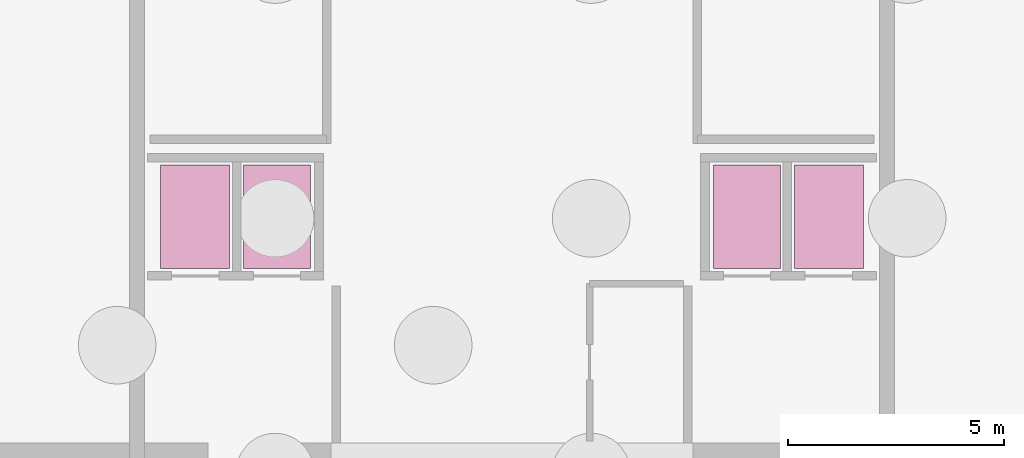
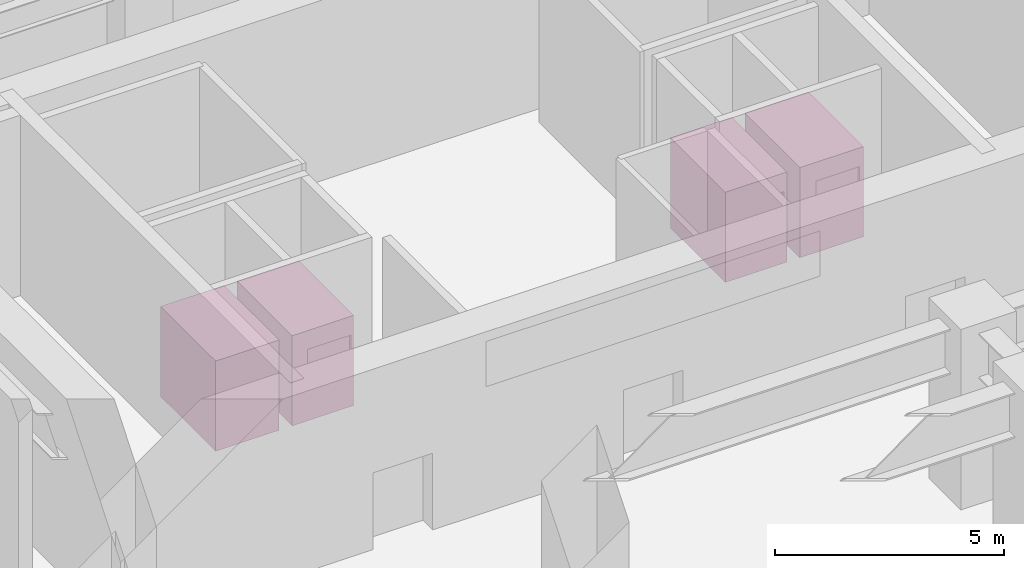
# One storey, part 9 of 9: 4 transport elements.
"""IFC4 building model written with IfcOpenShell, lengths in metres."""

from ifc_helpers import new_model, si_unit, direction, frame, origin, origin_2d, place, context, subcontext, project, spatial, rectangle, extrude, source, transform, mapped, material, type_object, type_shapes, element, save


model = new_model("IFC4")

# Units and contexts
model_context = context("Model", 3, precision=1e-05, world=origin(), true_north=direction((0.0, 1.0)))
body_context = subcontext(model_context, "Body", "Model", "MODEL_VIEW")
ifc_project = project(units=[si_unit("LENGTHUNIT", "METRE"), si_unit("AREAUNIT", "SQUARE_METRE"), si_unit("VOLUMEUNIT", "CUBIC_METRE"), si_unit("PLANEANGLEUNIT", "RADIAN"), si_unit("MASSUNIT", "GRAM", prefix="KILO")], contexts=[model_context])

# Site, building, storey
site_placement = place(None, origin())
site = spatial("IfcSite", under=ifc_project, at=site_placement, CompositionType="ELEMENT")
building_placement = place(site_placement, origin())
building = spatial("IfcBuilding", under=site, at=building_placement, Name="Tolvann Quenvar Hotel", CompositionType="ELEMENT")
storey_placement = place(building_placement, frame((0.0, 0.0, -14.39990234375)))
storey = spatial("IfcBuildingStorey", under=building, at=storey_placement, Name="B03", CompositionType="ELEMENT", Elevation=-14.39990234375)

# Transport elements
ifc_material = material(Name="Brushed 316 stainless steel lift car enclosure", Category="steel")
transport_element_type_1 = type_object("IfcTransportElementType", Name="LIFT_FF_1800", PredefinedType="ELEVATOR", material=ifc_material)
shared_shape_1 = source(origin(), body_context, "Body", "SweptSolid", [
    extrude(rectangle(XDim=1.60009765625, YDim=2.39990234375, at=origin_2d()), origin(), (0.0, 0.0, 1.0), 2.39990234375),
])
type_shapes(transport_element_type_1, [shared_shape_1])
for number, where, z_axis, x_axis, name in (
    (1, (15.64990234375, 37.75, 0.0), (0.0, 0.0, 1.0), (1.0, 0.0, 0.0), "Elevator FF-1 (FF Bank)"),
    (2, (30.35009765625, 37.75, 0.0), (0.0, 0.0, 1.0), (1.0, 0.0, 0.0), "Elevator FF-2 (FF Bank)"),
):
    element("IfcTransportElement", number, at=place(storey_placement, frame(where, z_axis=z_axis, x_axis=x_axis)), inside=storey, type_object=transport_element_type_1, Name=name, PredefinedType="ELEVATOR", context=body_context, shape_type="MappedRepresentation", body=[
        mapped(shared_shape_1, transform((0.0, 0.0, 0.0), x_axis=(1.0, 0.0, 0.0), y_axis=(0.0, 1.0, 0.0), z_axis=(0.0, 0.0, 1.0), scale=1.0)),
    ])
transport_element_type_2 = type_object("IfcTransportElementType", Name="LIFT_SV_1800", PredefinedType="ELEVATOR", material=ifc_material)
shared_shape_2 = source(origin(), body_context, "Body", "SweptSolid", [
    extrude(rectangle(XDim=1.550048828125, YDim=2.39990234375, at=origin_2d()), origin(), (0.0, 0.0, 1.0), 2.39990234375),
])
type_shapes(transport_element_type_2, [shared_shape_2])
for number, where, z_axis, x_axis, name in (
    (3, (17.550048828125, 37.75, 0.0), (0.0, 0.0, 1.0), (1.0, 0.0, 0.0), "Elevator SV-1 (SV Bank)"),
    (4, (28.449951171875, 37.75, 0.0), (0.0, 0.0, 1.0), (1.0, 0.0, 0.0), "Elevator SV-2 (SV Bank)"),
):
    element("IfcTransportElement", number, at=place(storey_placement, frame(where, z_axis=z_axis, x_axis=x_axis)), inside=storey, type_object=transport_element_type_2, Name=name, PredefinedType="ELEVATOR", context=body_context, shape_type="MappedRepresentation", body=[
        mapped(shared_shape_2, transform((0.0, 0.0, 0.0), x_axis=(1.0, 0.0, 0.0), y_axis=(0.0, 1.0, 0.0), z_axis=(0.0, 0.0, 1.0), scale=1.0)),
    ])

save(model, "model.ifc")
